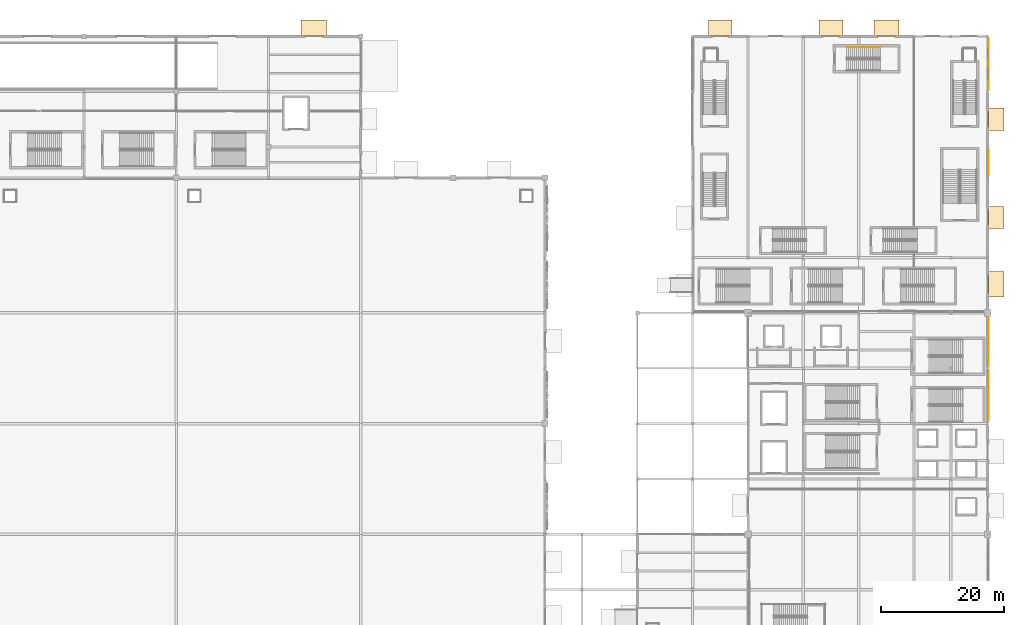
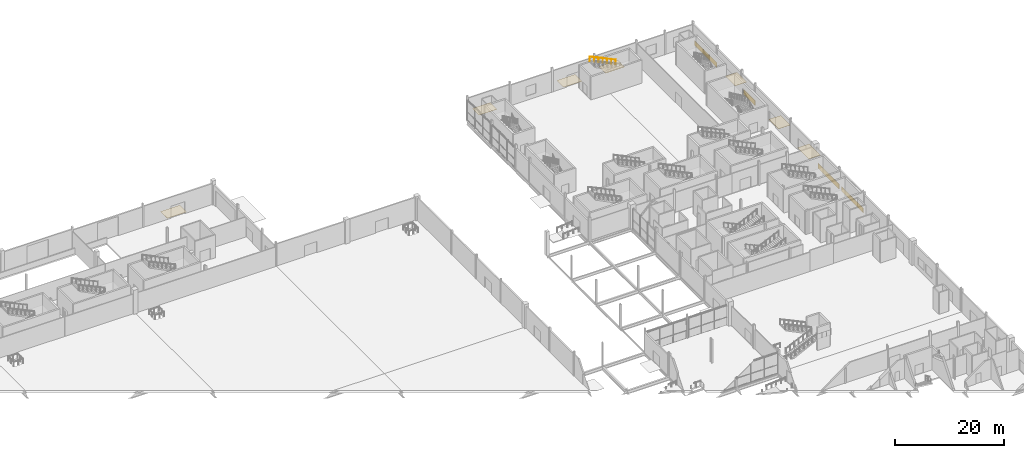
# One storey, part 94 of 94: 11 coverings, 1 railing.
"""IFC4 building model written with IfcOpenShell, lengths in metres."""

from ifc_helpers import new_model, si_unit, direction, frame, origin, origin_2d, place, context, subcontext, project, spatial, rectangle, circle, extrude, material, layer, layer_set, type_object, element, save


model = new_model("IFC4")

# Units and contexts
model_context = context("Model", 3, precision=1e-05, world=origin(), true_north=direction((0.0, 1.0)))
body_context = subcontext(model_context, "Body", "Model", "MODEL_VIEW")
ifc_project = project(units=[si_unit("LENGTHUNIT", "METRE"), si_unit("AREAUNIT", "SQUARE_METRE"), si_unit("VOLUMEUNIT", "CUBIC_METRE"), si_unit("PLANEANGLEUNIT", "RADIAN"), si_unit("MASSUNIT", "GRAM", prefix="KILO")], contexts=[model_context])

# Site, building, storey
site_placement = place(None, origin())
site = spatial("IfcSite", under=ifc_project, at=site_placement, CompositionType="ELEMENT")
building_placement = place(site_placement, origin())
building = spatial("IfcBuilding", under=site, at=building_placement, Name="Qamarlyn Nura Convention Centre", CompositionType="ELEMENT")
storey_placement = place(building_placement, origin())
storey = spatial("IfcBuildingStorey", under=building, at=storey_placement, Name="L00", CompositionType="ELEMENT", Elevation=0.0)

# Coverings
ifc_material_1 = material(Name="Polished coastal aggregate terrazzo")
ifc_layer_1 = layer(ifc_material_1, 0.030029296875, Name="COV-FLOOR-TERR")
ifc_layer_set_1 = layer_set([ifc_layer_1], Name="Polished coastal aggregate terrazzo")
covering_type_1 = type_object("IfcCoveringType", Name="COV-FLOOR-TERR", PredefinedType="FLOORING", material=ifc_layer_set_1)
for number, where, z_axis, x_axis, name in (
    (1, (82.388671875, 127.39990234375, -0.02978515625), (0.0, 0.0, 1.0), (1.0, 0.0, 0.0), "Exterior exit threshold apron E-32"),
    (2, (193.389892578125, 85.675048828125, -0.02978515625), (0.0, 0.0, 1.0), (0.0, -1.0, 0.0), "Exterior exit threshold apron E-40"),
):
    element("IfcCovering", number, at=place(storey_placement, frame(where, z_axis=z_axis, x_axis=x_axis)), inside=storey, type_object=covering_type_1, Name=name, PredefinedType="FLOORING", context=body_context, shape_type="SweptSolid", body=[
        extrude(rectangle(XDim=4.14990234375, YDim=2.5, at=origin_2d()), origin(), (0.0, 0.0, 1.0), 0.030029296875),
    ])
covering_1_placement = place(storey_placement, frame((193.389892578125, 96.512451171875, -0.02978515625), z_axis=(0.0, 0.0, 1.0), x_axis=(0.0, -1.0, 0.0)))
element("IfcCovering", 3, at=covering_1_placement, inside=storey, type_object=covering_type_1, Name="Exterior exit threshold apron E-41", PredefinedType="FLOORING", context=body_context, shape_type="SweptSolid", body=[
    extrude(rectangle(XDim=3.550048828125, YDim=2.5, at=origin_2d()), origin(), (0.0, 0.0, 1.0), 0.030029296875),
])
covering_2_placement = place(storey_placement, frame((193.389892578125, 112.501708984375, -0.02978515625), z_axis=(0.0, 0.0, 1.0), x_axis=(0.0, -1.0, 0.0)))
element("IfcCovering", 4, at=covering_2_placement, inside=storey, type_object=covering_type_1, Name="Exterior exit threshold apron E-42", PredefinedType="FLOORING", context=body_context, shape_type="SweptSolid", body=[
    extrude(rectangle(XDim=3.6201171875, YDim=2.5, at=origin_2d()), origin(), (0.0, 0.0, 1.0), 0.030029296875),
])
covering_3_placement = place(storey_placement, frame((148.5, 127.389892578125, -0.02978515625), z_axis=(0.0, 0.0, 1.0), x_axis=(1.0, 0.0, 0.0)))
element("IfcCovering", 5, at=covering_3_placement, inside=storey, type_object=covering_type_1, Name="Exterior exit threshold apron E-53", PredefinedType="FLOORING", context=body_context, shape_type="SweptSolid", body=[
    extrude(rectangle(XDim=3.85009765625, YDim=2.5, at=origin_2d()), origin(), (0.0, 0.0, 1.0), 0.030029296875),
])
covering_4_placement = place(storey_placement, frame((166.500244140625, 127.389892578125, -0.02978515625), z_axis=(0.0, 0.0, 1.0), x_axis=(1.0, 0.0, 0.0)))
element("IfcCovering", 6, at=covering_4_placement, inside=storey, type_object=covering_type_1, Name="Exterior exit threshold apron E-54", PredefinedType="FLOORING", context=body_context, shape_type="SweptSolid", body=[
    extrude(rectangle(XDim=3.949951171875, YDim=2.5, at=origin_2d()), origin(), (0.0, 0.0, 1.0), 0.030029296875),
])
covering_5_placement = place(storey_placement, frame((175.506103515625, 127.389892578125, -0.02978515625), z_axis=(0.0, 0.0, 1.0), x_axis=(1.0, 0.0, 0.0)))
element("IfcCovering", 7, at=covering_5_placement, inside=storey, type_object=covering_type_1, Name="Exterior exit threshold apron E-55", PredefinedType="FLOORING", context=body_context, shape_type="SweptSolid", body=[
    extrude(rectangle(XDim=4.050048828125, YDim=2.5, at=origin_2d()), origin(), (0.0, 0.0, 1.0), 0.030029296875),
])
ifc_material_2 = material(Name="UAE coastal limestone stone cladding", Category="masonry")
ifc_layer_2 = layer(ifc_material_2, 0.044921875, Name="COV-PLINTH-LIME")
ifc_layer_set_2 = layer_set([ifc_layer_2], Name="UAE coastal limestone stone cladding")
covering_type_2 = type_object("IfcCoveringType", Name="COV-PLINTH-LIME", PredefinedType="CLADDING", material=ifc_layer_set_2)
covering_6_placement = place(storey_placement, frame((192.158447265625, 67.5673828125, 0.0), z_axis=(0.0, 0.0, 1.0), x_axis=(0.0, -1.0, 0.0)))
element("IfcCovering", 8, at=covering_6_placement, inside=storey, type_object=covering_type_2, Name="L00 UAE coastal limestone stone plinth cladding WEXT-L00-1920-718-1920-633", PredefinedType="CLADDING", context=body_context, shape_type="SweptSolid", body=[
    extrude(rectangle(XDim=8.0400390625, YDim=0.044921875, at=origin_2d()), origin(), (0.0, 0.0, 1.0), 1.10009765625),
])
covering_7_placement = place(storey_placement, frame((192.158447265625, 76.331298828125, 0.0), z_axis=(0.0, 0.0, 1.0), x_axis=(0.0, -1.0, 0.0)))
element("IfcCovering", 9, at=covering_7_placement, inside=storey, type_object=covering_type_2, Name="L00 UAE coastal limestone stone plinth cladding WEXT-L00-1920-804-1920-722", PredefinedType="CLADDING", context=body_context, shape_type="SweptSolid", body=[
    extrude(rectangle(XDim=7.83740234375, YDim=0.044921875, at=origin_2d()), origin(), (0.0, 0.0, 1.0), 1.10009765625),
])
covering_8_placement = place(storey_placement, frame((192.158447265625, 105.487548828125, 0.0), z_axis=(0.0, 0.0, 1.0), x_axis=(0.0, -1.0, 0.0)))
element("IfcCovering", 10, at=covering_8_placement, inside=storey, type_object=covering_type_2, Name="L00 UAE coastal limestone stone plinth cladding WEXT-L00-1920-1078-1920-1032", PredefinedType="CLADDING", context=body_context, shape_type="SweptSolid", body=[
    extrude(rectangle(XDim=4.22509765625, YDim=0.044921875, at=origin_2d()), origin(), (0.0, 0.0, 1.0), 1.10009765625),
])
covering_9_placement = place(storey_placement, frame((192.158447265625, 121.505126953125, 0.0), z_axis=(0.0, 0.0, 1.0), x_axis=(0.0, -1.0, 0.0)))
element("IfcCovering", 11, at=covering_9_placement, inside=storey, type_object=covering_type_2, Name="L00 UAE coastal limestone stone plinth cladding WEXT-L00-1920-1258-1920-1172", PredefinedType="CLADDING", context=body_context, shape_type="SweptSolid", body=[
    extrude(rectangle(XDim=8.217529296875, YDim=0.044921875, at=origin_2d()), origin(), (0.0, 0.0, 1.0), 1.10009765625),
])

# Railing
ifc_material_3 = material(Name="Marine Grade 316 stainless steel", Category="steel")
railing_type = type_object("IfcRailingType", Name="HRL-STAIR-090", PredefinedType="HANDRAIL", material=ifc_material_3)
railing_placement = place(storey_placement, frame((174.489990234375, 124.22998046875, 3.002197265625)))
element("IfcRailing", 12, at=railing_placement, inside=storey, type_object=railing_type, Name="L00 ST-VOM5 stair handrail 2", PredefinedType="HANDRAIL", context=body_context, shape_type="SweptSolid", body=[
    extrude(circle(Radius=0.02392578125, at=origin_2d()), frame((0.0, 0.0, 0.88818359375), z_axis=(-0.90545405566, 0.0, 0.424444287379), x_axis=(0.0, -1.0, 0.0)), (0.0, 0.0, 1.0), 6.008056640625),
    extrude(circle(Radius=0.02099609375, at=origin_2d()), frame((0.0, 0.0, -0.155029296875)), (0.0, 0.0, 1.0), 1.01708984375),
    extrude(circle(Radius=0.02099609375, at=origin_2d()), frame((-0.90673828125, 0.0, 0.27001953125)), (0.0, 0.0, 1.0), 1.01708984375),
    extrude(circle(Radius=0.02099609375, at=origin_2d()), frame((-1.813232421875, 0.0, 0.695068359375)), (0.0, 0.0, 1.0), 1.01708984375),
    extrude(circle(Radius=0.02099609375, at=origin_2d()), frame((-2.719970703125, 0.0, 1.1201171875)), (0.0, 0.0, 1.0), 1.01708984375),
    extrude(circle(Radius=0.02099609375, at=origin_2d()), frame((-3.626708984375, 0.0, 1.544921875)), (0.0, 0.0, 1.0), 1.01708984375),
    extrude(circle(Radius=0.02099609375, at=origin_2d()), frame((-4.533203125, 0.0, 1.969970703125)), (0.0, 0.0, 1.0), 1.01708984375),
    extrude(circle(Radius=0.02099609375, at=origin_2d()), frame((-5.43994140625, 0.0, 2.39501953125)), (0.0, 0.0, 1.0), 1.01708984375),
])

save(model, "model.ifc")
